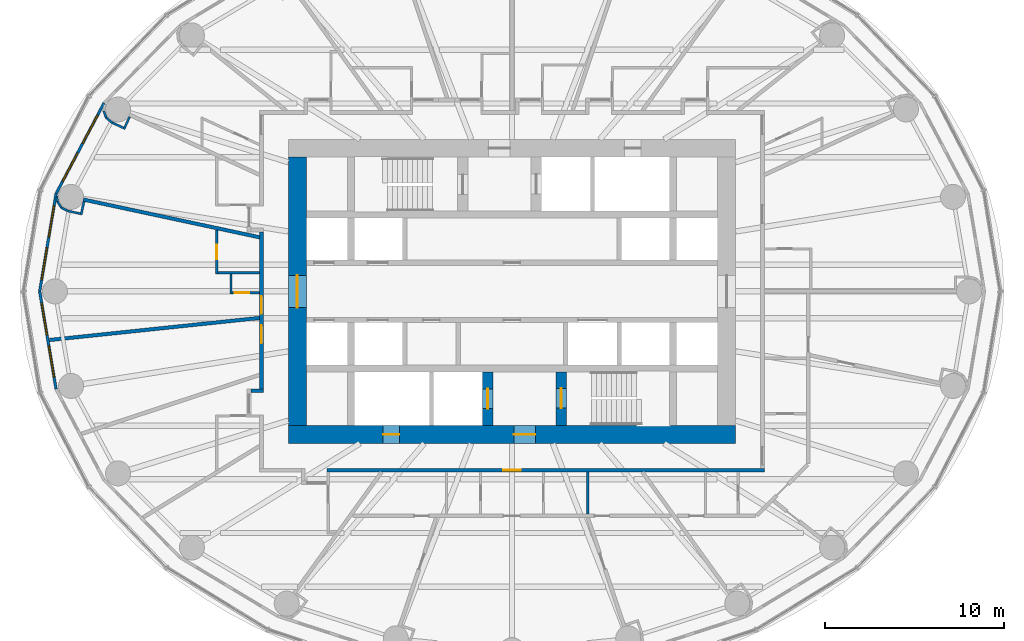
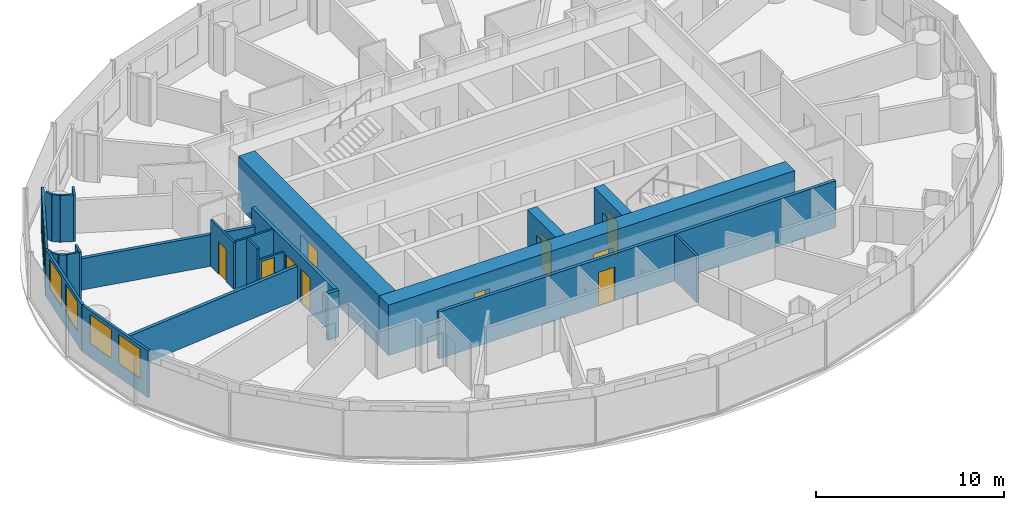
# One storey, part 7 of 14: 26 walls, 10 doors, 6 windows, 16 openings.
"""IFC4 building model written with IfcOpenShell, lengths in metres."""

import ifcopenshell
import ifcopenshell.guid

model = None  # the IFC model being written
_history = None  # IfcOwnerHistory: only IFC2X3 demands one
_inside = {}  # id of a spatial element -> (the spatial element, [elements in it])
_under = {}  # id of a project, library or spatial element -> (it, [spatial elements below it])
_declared = {}  # id of a project -> (the project, [libraries it declares])
_typed = {}  # id of a type object -> (the type object, [elements of that type])
_made_of = {}  # id of a material, layer set ... -> (it, [elements and type objects made of it])


def new_model(schema):
    """Start an empty IFC model of exactly this schema.

    Asked for "IFC4X3", IfcOpenShell would pick the latest addendum, in which some entities
    have other attributes; the version numbers below select the first issue.
    IFC2X3 requires an IfcOwnerHistory on every rooted entity: one is made here for all.
    """
    global model, _history
    if schema == "IFC4X3":
        model = ifcopenshell.file(schema_version=(4, 3, 0, 0))
    else:
        model = ifcopenshell.file(schema=schema)
    _inside.clear()
    _under.clear()
    _declared.clear()
    _typed.clear()
    _made_of.clear()
    _history = None
    if model.schema == "IFC2X3":
        org = make("IfcOrganization", Name="unknown")
        user = make(
            "IfcPersonAndOrganization",
            ThePerson=make("IfcPerson", FamilyName="unknown"),
            TheOrganization=org,
        )
        app = make(
            "IfcApplication",
            ApplicationDeveloper=org,
            Version="unknown",
            ApplicationFullName="unknown",
            ApplicationIdentifier="unknown",
        )
        _history = make(
            "IfcOwnerHistory",
            OwningUser=user,
            OwningApplication=app,
            ChangeAction="ADDED",
            CreationDate=0,
        )
    return model


def make(cls, **values):
    """One entity of the class cls with the attributes given. An attribute that is None is left unset."""
    return model.create_entity(
        cls, **{name: value for name, value in values.items() if value is not None}
    )


def rooted(cls, **values):
    """An entity with a GlobalId (a new one), such as an element, a storey or a relation."""
    return make(cls, GlobalId=ifcopenshell.guid.new(), OwnerHistory=_history, **values)


def si_unit(unit_type, name, prefix=None):
    """IfcSIUnit, for example si_unit("LENGTHUNIT", "METRE", prefix="MILLI")."""
    return make("IfcSIUnit", UnitType=unit_type, Prefix=prefix, Name=name)


def assignment(units):
    """IfcUnitAssignment: the units of a project."""
    return None if units is None else make("IfcUnitAssignment", Units=units)


def point(xyz):
    """IfcCartesianPoint."""
    return None if xyz is None else make("IfcCartesianPoint", Coordinates=xyz)


def direction(xyz):
    """IfcDirection."""
    return None if xyz is None else make("IfcDirection", DirectionRatios=xyz)


def frame(location, z_axis=None, x_axis=None):
    """IfcAxis2Placement3D, a coordinate frame: its origin and axes. An axis left out is left unset."""
    return make(
        "IfcAxis2Placement3D",
        Location=point(location),
        Axis=direction(z_axis),
        RefDirection=direction(x_axis),
    )


def frame_2d(location, x_axis=None):
    """IfcAxis2Placement2D, a coordinate frame in the plane: its origin and x axis."""
    return make(
        "IfcAxis2Placement2D", Location=point(location), RefDirection=direction(x_axis)
    )


def origin():
    """The frame at (0, 0, 0) with its axes left unset."""
    return frame((0.0, 0.0, 0.0))


def place(relative_to, where):
    """IfcLocalPlacement: puts the frame where relative to a parent placement (None: the world)."""
    return make(
        "IfcLocalPlacement", PlacementRelTo=relative_to, RelativePlacement=where
    )


def context(
    kind, dimensions, precision=None, world=None, true_north=None, identifier=None
):
    """IfcGeometricRepresentationContext, for example the 3D "Model" context."""
    return make(
        "IfcGeometricRepresentationContext",
        ContextIdentifier=identifier,
        ContextType=kind,
        CoordinateSpaceDimension=dimensions,
        Precision=precision,
        WorldCoordinateSystem=world,
        TrueNorth=true_north,
    )


def subcontext(parent, identifier, kind, view, scale=None):
    """IfcGeometricRepresentationSubContext, for example "Body" below "Model"."""
    return make(
        "IfcGeometricRepresentationSubContext",
        ContextIdentifier=identifier,
        ContextType=kind,
        ParentContext=parent,
        TargetScale=scale,
        TargetView=view,
    )


def project(units=None, contexts=None):
    """IfcProject with its units and contexts."""
    return rooted(
        "IfcProject",
        Name="project",
        RepresentationContexts=contexts,
        UnitsInContext=assignment(units),
    )


def spatial(cls, under=None, at=None, **own):
    """A site, building, storey or space (cls), placed at a placement, below another one or the project."""
    s = rooted(cls, ObjectPlacement=at, **own)
    if under is not None:
        _under.setdefault(under.id(), (under, []))[1].append(s)
    return s


def profile(cls, at=None, kind="AREA", **sizes):
    """A parametric profile (cls). Its sizes go by their IFC names, for example OverallWidth=200.0."""
    return make(cls, ProfileType=kind, Position=at, **sizes)


def rectangle(**sizes):
    """IfcRectangleProfileDef."""
    return profile("IfcRectangleProfileDef", **sizes)


def extrude(swept, where, along, depth):
    """IfcExtrudedAreaSolid: the profile swept, set in the frame where, extruded along a direction by depth."""
    return make(
        "IfcExtrudedAreaSolid",
        SweptArea=swept,
        Position=where,
        ExtrudedDirection=direction(along),
        Depth=depth,
    )


def shape(context_of_items, identifier, shape_type, items):
    """IfcShapeRepresentation: the items that make up one representation, for example the "Body"."""
    return make(
        "IfcShapeRepresentation",
        ContextOfItems=context_of_items,
        RepresentationIdentifier=identifier,
        RepresentationType=shape_type,
        Items=items,
    )


def material(Name=None, Category=None):
    """IfcMaterial."""
    return make("IfcMaterial", Name=Name, Category=Category)


def layer(
    of_material, thickness, ventilated=None, Name=None, Category=None, Priority=None
):
    """IfcMaterialLayer: one layer of a wall or slab, of a material (None: an air gap)."""
    return make(
        "IfcMaterialLayer",
        Material=of_material,
        LayerThickness=thickness,
        IsVentilated=ventilated,
        Name=Name,
        Category=Category,
        Priority=Priority,
    )


def layer_set(layers, Name=None):
    """IfcMaterialLayerSet."""
    return make("IfcMaterialLayerSet", MaterialLayers=layers, LayerSetName=Name)


def made_of(thing, what):
    """Note that an element or type object is made of a material, layer set ...; save() writes the relation."""
    if what is not None:
        _made_of.setdefault(what.id(), (what, []))[1].append(thing)
    return thing


def type_object(cls, material=None, **own):
    """A type object (cls), such as IfcWallType, which elements share."""
    return made_of(rooted(cls, **own), material)


def element(
    cls,
    number,
    at=None,
    inside=None,
    cuts=None,
    type_object=None,
    material=None,
    context=None,
    identifier="Body",
    shape_type=None,
    held_by="IfcProductDefinitionShape",
    body=None,
    shapes=None,
    **own,
):
    """One element of the class cls, such as IfcWall. Its Tag is "e" and its number.

    at: its placement. inside: the storey or other place that contains it. cuts: it is an
    opening in that element (IfcRelVoidsElement). A single representation is given by context,
    identifier, shape_type and body (its items); several are given by shapes. held_by: the class
    of the entity that holds the representations. save() writes the other relations.
    """
    e = rooted(cls, Tag="e%d" % number, ObjectPlacement=at, **own)
    if body is not None:
        shapes = [shape(context, identifier, shape_type, body)]
    if shapes is not None:
        e.Representation = make(held_by, Representations=shapes)
    if inside is not None:
        _inside.setdefault(inside.id(), (inside, []))[1].append(e)
    if cuts is not None:
        rooted(
            "IfcRelVoidsElement", RelatingBuildingElement=cuts, RelatedOpeningElement=e
        )
    if type_object is not None:
        _typed.setdefault(type_object.id(), (type_object, []))[1].append(e)
    return made_of(e, material)


def fill(opening, filler):
    """IfcRelFillsElement: the door or window that sits in an opening."""
    return rooted(
        "IfcRelFillsElement",
        RelatingOpeningElement=opening,
        RelatedBuildingElement=filler,
    )


def aggregate(whole, parts):
    """IfcRelAggregates: a whole, such as a stair, and the parts it consists of."""
    return rooted("IfcRelAggregates", RelatingObject=whole, RelatedObjects=parts)


def save(model, path):
    """Write the relations noted so far, then the file.

    IfcRelAggregates (storeys below a building ...), IfcRelContainedInSpatialStructure (elements
    in a storey), IfcRelDefinesByType, IfcRelAssociatesMaterial and IfcRelDeclares: one each for
    every whole, place, type object, material and project.
    """
    for whole, parts in _under.values():
        aggregate(whole, parts)
    for where, things in _inside.values():
        rooted(
            "IfcRelContainedInSpatialStructure",
            RelatedElements=things,
            RelatingStructure=where,
        )
    for kind, things in _typed.values():
        rooted("IfcRelDefinesByType", RelatedObjects=things, RelatingType=kind)
    for what, things in _made_of.values():
        rooted("IfcRelAssociatesMaterial", RelatedObjects=things, RelatingMaterial=what)
    for by, libraries in _declared.values():
        rooted("IfcRelDeclares", RelatingContext=by, RelatedDefinitions=libraries)
    model.write(path)


model = new_model("IFC4")

# Units and contexts
model_context = context("Model", 3, precision=1e-05, world=origin(), true_north=direction((0.0, 1.0)))
body_context = subcontext(model_context, "Body", "Model", "MODEL_VIEW")
ifc_project = project(units=[si_unit("LENGTHUNIT", "METRE"), si_unit("AREAUNIT", "SQUARE_METRE"), si_unit("VOLUMEUNIT", "CUBIC_METRE"), si_unit("PLANEANGLEUNIT", "RADIAN"), si_unit("MASSUNIT", "GRAM", prefix="KILO")], contexts=[model_context])

# Site, building, storey
site_placement = place(None, origin())
site = spatial("IfcSite", under=ifc_project, at=site_placement, CompositionType="ELEMENT")
building_placement = place(site_placement, origin())
building = spatial("IfcBuilding", under=site, at=building_placement, Name="Hankou Lantern Tower", CompositionType="ELEMENT")
storey_placement = place(building_placement, frame((0.0, 0.0, 90.300048828125)))
storey = spatial("IfcBuildingStorey", under=building, at=storey_placement, Name="L23", CompositionType="ELEMENT", Elevation=90.300048828125)

# Wall, openings, doors
ifc_material_1 = material(Name="Concrete C60", Category="concrete")
ifc_layer_1 = layer(ifc_material_1, 1.0)
ifc_layer_set_1 = layer_set([ifc_layer_1], Name="Concrete C60")
wall_type_1 = type_object("IfcWallType", Name="CW1 CORE WALL 1000", PredefinedType="SHEAR", material=ifc_layer_set_1)
wall_1_placement = place(storey_placement, frame((12.5, -8.0, 0.0), z_axis=(0.0, 0.0, 1.0), x_axis=(-1.0, 0.0, 0.0)))
wall_1 = element("IfcWall", 1, at=wall_1_placement, inside=storey, type_object=wall_type_1, Name="Core wall south L23", PredefinedType="SHEAR", context=body_context, shape_type="SweptSolid", body=[
    extrude(rectangle(XDim=25.0, YDim=1.0, at=frame_2d((12.5, 0.0))), origin(), (0.0, 0.0, 1.0), 3.300048828125),
])
opening_1_placement = place(wall_1_placement, frame((11.199951171875, 0.0, 0.0)))
opening_1 = element("IfcOpeningElement", 2, at=opening_1_placement, cuts=wall_1, Name="Opening D5", PredefinedType="OPENING", context=body_context, shape_type="SweptSolid", body=[
    extrude(rectangle(XDim=1.199951171875, YDim=2.199951171875, at=frame_2d((0.60009765625, 1.10009765625))), frame((0.0, 0.510009765625, 0.0), z_axis=(0.0, -1.0, 0.0), x_axis=(1.0, 0.0, 0.0)), (0.0, 0.0, 1.0), 1.02001953125),
])
opening_2_placement = place(wall_1_placement, frame((18.800048828125, 0.0, 0.0)))
opening_2 = element("IfcOpeningElement", 3, at=opening_2_placement, cuts=wall_1, Name="Opening D7", PredefinedType="OPENING", context=body_context, shape_type="SweptSolid", body=[
    extrude(rectangle(XDim=0.89990234375, YDim=2.199951171875, at=frame_2d((0.449951171875, 1.10009765625))), frame((0.0, 0.510009765625, 0.0), z_axis=(0.0, -1.0, 0.0), x_axis=(1.0, 0.0, 0.0)), (0.0, 0.0, 1.0), 1.02001953125),
])
ifc_material_2 = material(Name="Steel door leaf", Category="steel")
door_type_1 = type_object("IfcDoorType", Name="D5 STAIR LOBBY DOOR 1200X2200", OperationType="SINGLE_SWING_LEFT", PredefinedType="DOOR", material=ifc_material_2)
door_1_placement = place(opening_1_placement, origin())
door_1 = element("IfcDoor", 4, at=door_1_placement, inside=storey, type_object=door_type_1, Name="Stair B lobby door", OperationType="SINGLE_SWING_LEFT", OverallHeight=2.199951171875, OverallWidth=1.199951171875, PredefinedType="DOOR", context=body_context, shape_type="SweptSolid", body=[
    extrude(rectangle(XDim=1.199951171875, YDim=2.199951171875, at=frame_2d((0.60009765625, 1.10009765625))), frame((0.0, 0.02490234375, 0.0), z_axis=(0.0, -1.0, 0.0), x_axis=(1.0, 0.0, 0.0)), (0.0, 0.0, 1.0), 0.050048828125),
])
fill(opening_1, door_1)
ifc_material_3 = material(Name="Steel door leaf", Category="steel")
door_type_2 = type_object("IfcDoorType", Name="D7 RISER DOOR 900X2200", OperationType="SINGLE_SWING_LEFT", PredefinedType="DOOR", material=ifc_material_3)
door_2_placement = place(opening_2_placement, origin())
door_2 = element("IfcDoor", 5, at=door_2_placement, inside=storey, type_object=door_type_2, Name="Riser S1 door", OperationType="SINGLE_SWING_RIGHT", OverallHeight=2.199951171875, OverallWidth=0.89990234375, PredefinedType="DOOR", context=body_context, shape_type="SweptSolid", body=[
    extrude(rectangle(XDim=0.89990234375, YDim=2.199951171875, at=frame_2d((0.449951171875, 1.10009765625))), frame((0.0, 0.02490234375, 0.0), z_axis=(0.0, -1.0, 0.0), x_axis=(1.0, 0.0, 0.0)), (0.0, 0.0, 1.0), 0.050048828125),
])
fill(opening_2, door_2)

# Wall, opening, door
wall_2_placement = place(storey_placement, frame((-12.0, 7.5, 0.0), z_axis=(0.0, 0.0, 1.0), x_axis=(0.0, -1.0, 0.0)))
wall_2 = element("IfcWall", 6, at=wall_2_placement, inside=storey, type_object=wall_type_1, Name="Core wall west L23", PredefinedType="SHEAR", context=body_context, shape_type="SweptSolid", body=[
    extrude(rectangle(XDim=15.0, YDim=1.0, at=frame_2d((7.5, 0.0))), origin(), (0.0, 0.0, 1.0), 3.300048828125),
])
opening_3_placement = place(wall_2_placement, frame((6.60009765625, 0.0, 0.0)))
opening_3 = element("IfcOpeningElement", 7, at=opening_3_placement, cuts=wall_2, Name="Opening D6", PredefinedType="OPENING", context=body_context, shape_type="SweptSolid", body=[
    extrude(rectangle(XDim=1.800048828125, YDim=2.199951171875, at=frame_2d((0.89990234375, 1.10009765625))), frame((0.0, 0.510009765625, 0.0), z_axis=(0.0, -1.0, 0.0), x_axis=(1.0, 0.0, 0.0)), (0.0, 0.0, 1.0), 1.02001953125),
])
ifc_material_4 = material(Name="Steel door leaf", Category="steel")
door_type_3 = type_object("IfcDoorType", Name="D6 LIFT LOBBY DOOR 1800X2200", OperationType="DOUBLE_DOOR_DOUBLE_SWING", PredefinedType="DOOR", material=ifc_material_4)
door_3_placement = place(opening_3_placement, origin())
door_3 = element("IfcDoor", 8, at=door_3_placement, inside=storey, type_object=door_type_3, Name="Lift lobby west door", OperationType="DOUBLE_DOOR_DOUBLE_SWING", OverallHeight=2.199951171875, OverallWidth=1.800048828125, PredefinedType="DOOR", context=body_context, shape_type="SweptSolid", body=[
    extrude(rectangle(XDim=1.800048828125, YDim=2.199951171875, at=frame_2d((0.89990234375, 1.10009765625))), frame((0.0, 0.02490234375, 0.0), z_axis=(0.0, -1.0, 0.0), x_axis=(1.0, 0.0, 0.0)), (0.0, 0.0, 1.0), 0.050048828125),
])
fill(opening_3, door_3)

ifc_material_5 = material(Name="Concrete C60", Category="concrete")
ifc_layer_2 = layer(ifc_material_5, 0.60009765625)
ifc_layer_set_2 = layer_set([ifc_layer_2], Name="Concrete C60")
wall_type_2 = type_object("IfcWallType", Name="CW6 STAIR AND SHAFT WALL 600", PredefinedType="SHEAR", material=ifc_layer_set_2)
wall_3_placement = place(storey_placement, frame((2.75, -7.5, 0.0), z_axis=(0.0, 0.0, 1.0), x_axis=(0.0, 1.0, 0.0)))
wall_3 = element("IfcWall", 9, at=wall_3_placement, inside=storey, type_object=wall_type_2, Name="Stair wall L23", PredefinedType="SHEAR", context=body_context, shape_type="SweptSolid", body=[
    extrude(rectangle(XDim=3.0, YDim=0.60009765625, at=frame_2d((1.5, 0.0))), origin(), (0.0, 0.0, 1.0), 3.300048828125),
])
opening_4_placement = place(wall_3_placement, frame((0.97509765625, 0.0, 0.0)))
opening_4 = element("IfcOpeningElement", 10, at=opening_4_placement, cuts=wall_3, Name="Opening D4", PredefinedType="OPENING", context=body_context, shape_type="SweptSolid", body=[
    extrude(rectangle(XDim=1.10009765625, YDim=2.199951171875, at=frame_2d((0.550048828125, 1.10009765625))), frame((0.0, 0.31005859375, 0.0), z_axis=(0.0, -1.0, 0.0), x_axis=(1.0, 0.0, 0.0)), (0.0, 0.0, 1.0), 0.6201171875),
])
ifc_material_6 = material(Name="Steel door leaf", Category="steel")
door_type_4 = type_object("IfcDoorType", Name="D4 STAIR DOOR 1100X2200", OperationType="SINGLE_SWING_LEFT", PredefinedType="DOOR", material=ifc_material_6)
door_4_placement = place(opening_4_placement, origin())
door_4 = element("IfcDoor", 11, at=door_4_placement, inside=storey, type_object=door_type_4, Name="Stair B door", OperationType="SINGLE_SWING_RIGHT", OverallHeight=2.199951171875, OverallWidth=1.10009765625, PredefinedType="DOOR", context=body_context, shape_type="SweptSolid", body=[
    extrude(rectangle(XDim=1.10009765625, YDim=2.199951171875, at=frame_2d((0.550048828125, 1.10009765625))), frame((0.0, 0.02490234375, 0.0), z_axis=(0.0, -1.0, 0.0), x_axis=(1.0, 0.0, 0.0)), (0.0, 0.0, 1.0), 0.050048828125),
])
fill(opening_4, door_4)

wall_4_placement = place(storey_placement, frame((-1.35009765625, -7.5, 0.0), z_axis=(0.0, 0.0, 1.0), x_axis=(0.0, 1.0, 0.0)))
wall_4 = element("IfcWall", 12, at=wall_4_placement, inside=storey, type_object=wall_type_2, Name="Firefighting lift shaft wall L23", PredefinedType="SHEAR", context=body_context, shape_type="SweptSolid", body=[
    extrude(rectangle(XDim=3.0, YDim=0.60009765625, at=frame_2d((1.5, 0.0))), origin(), (0.0, 0.0, 1.0), 3.300048828125),
])
opening_5_placement = place(wall_4_placement, frame((0.949951171875, 0.0, 0.0)))
opening_5 = element("IfcOpeningElement", 13, at=opening_5_placement, cuts=wall_4, Name="Opening LD2", PredefinedType="OPENING", context=body_context, shape_type="SweptSolid", body=[
    extrude(rectangle(XDim=1.10009765625, YDim=2.199951171875, at=frame_2d((0.550048828125, 1.10009765625))), frame((0.0, 0.31005859375, 0.0), z_axis=(0.0, -1.0, 0.0), x_axis=(1.0, 0.0, 0.0)), (0.0, 0.0, 1.0), 0.6201171875),
])
ifc_material_7 = material(Name="Steel door leaf", Category="steel")
door_type_5 = type_object("IfcDoorType", Name="LD2 FIREFIGHTING LIFT LANDING DOOR 1100X2200", OperationType="DOUBLE_DOOR_SLIDING", PredefinedType="DOOR", material=ifc_material_7)
door_5_placement = place(opening_5_placement, origin())
door_5 = element("IfcDoor", 14, at=door_5_placement, inside=storey, type_object=door_type_5, Name="Firefighting lift FL2 landing door", OperationType="DOUBLE_DOOR_SLIDING", OverallHeight=2.199951171875, OverallWidth=1.10009765625, PredefinedType="DOOR", context=body_context, shape_type="SweptSolid", body=[
    extrude(rectangle(XDim=1.10009765625, YDim=2.199951171875, at=frame_2d((0.550048828125, 1.10009765625))), frame((0.0, 0.02490234375, 0.0), z_axis=(0.0, -1.0, 0.0), x_axis=(1.0, 0.0, 0.0)), (0.0, 0.0, 1.0), 0.050048828125),
])
fill(opening_5, door_5)

# Wall, openings, windows
ifc_material_8 = material(Name="Aluminium spandrel panel on steel studs", Category="steel")
ifc_layer_3 = layer(ifc_material_8, 0.14990234375)
ifc_layer_set_3 = layer_set([ifc_layer_3], Name="Aluminium spandrel panel on steel studs")
wall_type_3 = type_object("IfcWallType", Name="EW1 INNER SKIN WALL 150", PredefinedType="ELEMENTEDWALL", material=ifc_layer_set_3)
wall_5_placement = place(storey_placement, frame((-22.802734375, 10.5322265625, 0.0), z_axis=(0.0, 0.0, 1.0), x_axis=(-0.467296867008, -0.884100468321, 0.0)))
wall_5 = element("IfcWall", 15, at=wall_5_placement, inside=storey, type_object=wall_type_3, Name="Inner skin R11-R12 L23", PredefinedType="ELEMENTEDWALL", context=body_context, shape_type="SweptSolid", body=[
    extrude(rectangle(XDim=5.734375, YDim=0.14990234375, at=frame_2d((2.8671875, 0.0))), origin(), (0.0, 0.0, 1.0), 3.050048828125),
])
opening_6_placement = place(wall_5_placement, frame((0.76708984375, 0.0, 0.89990234375)))
opening_6 = element("IfcOpeningElement", 16, at=opening_6_placement, cuts=wall_5, Name="Opening W1", PredefinedType="OPENING", context=body_context, shape_type="SweptSolid", body=[
    extrude(rectangle(XDim=1.800048828125, YDim=1.89990234375, at=frame_2d((0.89990234375, 0.949951171875))), frame((0.0, 0.0849609375, 0.0), z_axis=(0.0, -1.0, 0.0), x_axis=(1.0, 0.0, 0.0)), (0.0, 0.0, 1.0), 0.169921875),
])
opening_7_placement = place(wall_5_placement, frame((3.167236328125, 0.0, 0.89990234375)))
opening_7 = element("IfcOpeningElement", 17, at=opening_7_placement, cuts=wall_5, Name="Opening W1", PredefinedType="OPENING", context=body_context, shape_type="SweptSolid", body=[
    extrude(rectangle(XDim=1.800048828125, YDim=1.89990234375, at=frame_2d((0.89990234375, 0.949951171875))), frame((0.0, 0.0849609375, 0.0), z_axis=(0.0, -1.0, 0.0), x_axis=(1.0, 0.0, 0.0)), (0.0, 0.0, 1.0), 0.169921875),
])
ifc_material_9 = material(Name="Aluminium framed double glazed window", Category="aluminium")
window_type = type_object("IfcWindowType", Name="W1 GUEST ROOM WINDOW 1800X1900", PartitioningType="DOUBLE_PANEL_VERTICAL", PredefinedType="WINDOW", material=ifc_material_9)
window_1_placement = place(opening_6_placement, origin())
window_1 = element("IfcWindow", 18, at=window_1_placement, inside=storey, type_object=window_type, Name="Window R11.1 L23", OverallHeight=1.89990234375, OverallWidth=1.800048828125, PartitioningType="SINGLE_PANEL", PredefinedType="WINDOW", context=body_context, shape_type="SweptSolid", body=[
    extrude(rectangle(XDim=1.800048828125, YDim=1.89990234375, at=frame_2d((0.89990234375, 0.949951171875))), frame((0.0, 0.030029296875, 0.0), z_axis=(0.0, -1.0, 0.0), x_axis=(1.0, 0.0, 0.0)), (0.0, 0.0, 1.0), 0.06005859375),
])
fill(opening_6, window_1)
window_2_placement = place(opening_7_placement, origin())
window_2 = element("IfcWindow", 19, at=window_2_placement, inside=storey, type_object=window_type, Name="Window R11.2 L23", OverallHeight=1.89990234375, OverallWidth=1.800048828125, PartitioningType="SINGLE_PANEL", PredefinedType="WINDOW", context=body_context, shape_type="SweptSolid", body=[
    extrude(rectangle(XDim=1.800048828125, YDim=1.89990234375, at=frame_2d((0.89990234375, 0.949951171875))), frame((0.0, 0.030029296875, 0.0), z_axis=(0.0, -1.0, 0.0), x_axis=(1.0, 0.0, 0.0)), (0.0, 0.0, 1.0), 0.06005859375),
])
fill(opening_7, window_2)

wall_6_placement = place(storey_placement, frame((-25.482421875, 5.46240234375, 0.0), z_axis=(0.0, 0.0, 1.0), x_axis=(-0.165642551694, -0.986185857264, 0.0)))
wall_6 = element("IfcWall", 20, at=wall_6_placement, inside=storey, type_object=wall_type_3, Name="Inner skin R12-R13 L23", PredefinedType="ELEMENTEDWALL", context=body_context, shape_type="SweptSolid", body=[
    extrude(rectangle(XDim=5.538818359375, YDim=0.14990234375, at=frame_2d((2.76953125, 0.0))), origin(), (0.0, 0.0, 1.0), 3.050048828125),
])
opening_8_placement = place(wall_6_placement, frame((0.66943359375, 0.0, 0.89990234375)))
opening_8 = element("IfcOpeningElement", 21, at=opening_8_placement, cuts=wall_6, Name="Opening W1", PredefinedType="OPENING", context=body_context, shape_type="SweptSolid", body=[
    extrude(rectangle(XDim=1.800048828125, YDim=1.89990234375, at=frame_2d((0.89990234375, 0.949951171875))), frame((0.0, 0.0849609375, 0.0), z_axis=(0.0, -1.0, 0.0), x_axis=(1.0, 0.0, 0.0)), (0.0, 0.0, 1.0), 0.169921875),
])
opening_9_placement = place(wall_6_placement, frame((3.069580078125, 0.0, 0.89990234375)))
opening_9 = element("IfcOpeningElement", 22, at=opening_9_placement, cuts=wall_6, Name="Opening W1", PredefinedType="OPENING", context=body_context, shape_type="SweptSolid", body=[
    extrude(rectangle(XDim=1.800048828125, YDim=1.89990234375, at=frame_2d((0.89990234375, 0.949951171875))), frame((0.0, 0.0849609375, 0.0), z_axis=(0.0, -1.0, 0.0), x_axis=(1.0, 0.0, 0.0)), (0.0, 0.0, 1.0), 0.169921875),
])
window_3_placement = place(opening_8_placement, origin())
window_3 = element("IfcWindow", 23, at=window_3_placement, inside=storey, type_object=window_type, Name="Window R12.1 L23", OverallHeight=1.89990234375, OverallWidth=1.800048828125, PartitioningType="SINGLE_PANEL", PredefinedType="WINDOW", context=body_context, shape_type="SweptSolid", body=[
    extrude(rectangle(XDim=1.800048828125, YDim=1.89990234375, at=frame_2d((0.89990234375, 0.949951171875))), frame((0.0, 0.030029296875, 0.0), z_axis=(0.0, -1.0, 0.0), x_axis=(1.0, 0.0, 0.0)), (0.0, 0.0, 1.0), 0.06005859375),
])
fill(opening_8, window_3)
window_4_placement = place(opening_9_placement, origin())
window_4 = element("IfcWindow", 24, at=window_4_placement, inside=storey, type_object=window_type, Name="Window R12.2 L23", OverallHeight=1.89990234375, OverallWidth=1.800048828125, PartitioningType="SINGLE_PANEL", PredefinedType="WINDOW", context=body_context, shape_type="SweptSolid", body=[
    extrude(rectangle(XDim=1.800048828125, YDim=1.89990234375, at=frame_2d((0.89990234375, 0.949951171875))), frame((0.0, 0.030029296875, 0.0), z_axis=(0.0, -1.0, 0.0), x_axis=(1.0, 0.0, 0.0)), (0.0, 0.0, 1.0), 0.06005859375),
])
fill(opening_9, window_4)

wall_7_placement = place(storey_placement, frame((-26.39990234375, 0.0, 0.0), z_axis=(0.0, 0.0, 1.0), x_axis=(0.165642551694, -0.986185857264, 0.0)))
wall_7 = element("IfcWall", 25, at=wall_7_placement, inside=storey, type_object=wall_type_3, Name="Inner skin R13-R14 L23", PredefinedType="ELEMENTEDWALL", context=body_context, shape_type="SweptSolid", body=[
    extrude(rectangle(XDim=5.538818359375, YDim=0.14990234375, at=frame_2d((2.76953125, 0.0))), origin(), (0.0, 0.0, 1.0), 3.050048828125),
])
opening_10_placement = place(wall_7_placement, frame((0.66943359375, 0.0, 0.89990234375)))
opening_10 = element("IfcOpeningElement", 26, at=opening_10_placement, cuts=wall_7, Name="Opening W1", PredefinedType="OPENING", context=body_context, shape_type="SweptSolid", body=[
    extrude(rectangle(XDim=1.800048828125, YDim=1.89990234375, at=frame_2d((0.89990234375, 0.949951171875))), frame((0.0, 0.0849609375, 0.0), z_axis=(0.0, -1.0, 0.0), x_axis=(1.0, 0.0, 0.0)), (0.0, 0.0, 1.0), 0.169921875),
])
opening_11_placement = place(wall_7_placement, frame((3.069580078125, 0.0, 0.89990234375)))
opening_11 = element("IfcOpeningElement", 27, at=opening_11_placement, cuts=wall_7, Name="Opening W1", PredefinedType="OPENING", context=body_context, shape_type="SweptSolid", body=[
    extrude(rectangle(XDim=1.800048828125, YDim=1.89990234375, at=frame_2d((0.89990234375, 0.949951171875))), frame((0.0, 0.0849609375, 0.0), z_axis=(0.0, -1.0, 0.0), x_axis=(1.0, 0.0, 0.0)), (0.0, 0.0, 1.0), 0.169921875),
])
window_5_placement = place(opening_10_placement, origin())
window_5 = element("IfcWindow", 28, at=window_5_placement, inside=storey, type_object=window_type, Name="Window R13.1 L23", OverallHeight=1.89990234375, OverallWidth=1.800048828125, PartitioningType="SINGLE_PANEL", PredefinedType="WINDOW", context=body_context, shape_type="SweptSolid", body=[
    extrude(rectangle(XDim=1.800048828125, YDim=1.89990234375, at=frame_2d((0.89990234375, 0.949951171875))), frame((0.0, 0.030029296875, 0.0), z_axis=(0.0, -1.0, 0.0), x_axis=(1.0, 0.0, 0.0)), (0.0, 0.0, 1.0), 0.06005859375),
])
fill(opening_10, window_5)
window_6_placement = place(opening_11_placement, origin())
window_6 = element("IfcWindow", 29, at=window_6_placement, inside=storey, type_object=window_type, Name="Window R13.2 L23", OverallHeight=1.89990234375, OverallWidth=1.800048828125, PartitioningType="SINGLE_PANEL", PredefinedType="WINDOW", context=body_context, shape_type="SweptSolid", body=[
    extrude(rectangle(XDim=1.800048828125, YDim=1.89990234375, at=frame_2d((0.89990234375, 0.949951171875))), frame((0.0, 0.030029296875, 0.0), z_axis=(0.0, -1.0, 0.0), x_axis=(1.0, 0.0, 0.0)), (0.0, 0.0, 1.0), 0.06005859375),
])
fill(opening_11, window_6)

# Walls
ifc_material_10 = material(Name="Masonry lightweight concrete block", Category="masonry")
ifc_layer_4 = layer(ifc_material_10, 0.199951171875)
ifc_layer_set_4 = layer_set([ifc_layer_4], Name="Masonry lightweight concrete block")
wall_type_4 = type_object("IfcWallType", Name="IW1 GUEST ROOM PARTY WALL 200", PredefinedType="PARTITIONING", material=ifc_layer_set_4)
wall_8_placement = place(storey_placement, frame((-14.10009765625, 3.0224609375, 0.0), z_axis=(0.0, 0.0, 1.0), x_axis=(-0.977790014929, 0.209586943072, 0.0)))
element("IfcWall", 30, at=wall_8_placement, inside=storey, type_object=wall_type_4, Name="Party wall R12", PredefinedType="PARTITIONING", context=body_context, shape_type="SweptSolid", body=[
    extrude(rectangle(XDim=10.086669921875, YDim=0.199951171875, at=frame_2d((5.04345703125, 0.0))), origin(), (0.0, 0.0, 1.0), 2.050048828125),
])
ifc_material_11 = material(Name="Masonry lightweight concrete block", Category="masonry")
ifc_layer_5 = layer(ifc_material_11, 0.199951171875)
ifc_layer_set_5 = layer_set([ifc_layer_5], Name="Masonry lightweight concrete block")
wall_type_5 = type_object("IfcWallType", Name="IW2 CORRIDOR WALL 200", PredefinedType="PARTITIONING", material=ifc_layer_set_5)
wall_9_placement = place(storey_placement, frame((-13.89990234375, -5.55908203125, 0.0), z_axis=(0.0, 0.0, 1.0), x_axis=(-1.0, 0.0, 0.0)))
element("IfcWall", 31, at=wall_9_placement, inside=storey, type_object=wall_type_5, Name="Corridor recess wall 2304 side", PredefinedType="PARTITIONING", context=body_context, shape_type="SweptSolid", body=[
    extrude(rectangle(XDim=0.7001953125, YDim=0.199951171875, at=frame_2d((0.35009765625, 0.0))), origin(), (0.0, 0.0, 1.0), 3.050048828125),
])

# Wall, openings, doors
wall_10_placement = place(storey_placement, frame((-14.0, 3.33251953125, 0.0), z_axis=(0.0, 0.0, 1.0), x_axis=(0.0, -1.0, 0.0)))
wall_10 = element("IfcWall", 32, at=wall_10_placement, inside=storey, type_object=wall_type_5, Name="Corridor wall west", PredefinedType="PARTITIONING", context=body_context, shape_type="SweptSolid", body=[
    extrude(rectangle(XDim=8.79150390625, YDim=0.199951171875, at=frame_2d((4.395751953125, 0.0))), origin(), (0.0, 0.0, 1.0), 3.050048828125),
])
opening_12_placement = place(wall_10_placement, frame((3.590087890625, 0.0, 0.0)))
opening_12 = element("IfcOpeningElement", 33, at=opening_12_placement, cuts=wall_10, Name="Opening D1", PredefinedType="OPENING", context=body_context, shape_type="SweptSolid", body=[
    extrude(rectangle(XDim=1.0, YDim=2.199951171875, at=frame_2d((0.5, 1.10009765625))), frame((0.0, 0.10986328125, 0.0), z_axis=(0.0, -1.0, 0.0), x_axis=(1.0, 0.0, 0.0)), (0.0, 0.0, 1.0), 0.219970703125),
])
opening_13_placement = place(wall_10_placement, frame((5.234375, 0.0, 0.0)))
opening_13 = element("IfcOpeningElement", 34, at=opening_13_placement, cuts=wall_10, Name="Opening D28", PredefinedType="OPENING", context=body_context, shape_type="SweptSolid", body=[
    extrude(rectangle(XDim=1.0, YDim=2.199951171875, at=frame_2d((0.5, 1.10009765625))), frame((0.0, 0.10986328125, 0.0), z_axis=(0.0, -1.0, 0.0), x_axis=(1.0, 0.0, 0.0)), (0.0, 0.0, 1.0), 0.219970703125),
])
ifc_material_12 = material(Name="Steel door leaf", Category="steel")
door_type_6 = type_object("IfcDoorType", Name="D1 GUEST ROOM DOOR 1000X2200", OperationType="SINGLE_SWING_LEFT", PredefinedType="DOOR", material=ifc_material_12)
door_6_placement = place(opening_12_placement, origin())
door_6 = element("IfcDoor", 35, at=door_6_placement, inside=storey, type_object=door_type_6, Name="Guest room door 2302", OperationType="SINGLE_SWING_LEFT", OverallHeight=2.199951171875, OverallWidth=1.0, PredefinedType="DOOR", context=body_context, shape_type="SweptSolid", body=[
    extrude(rectangle(XDim=1.0, YDim=2.199951171875, at=frame_2d((0.5, 1.10009765625))), frame((0.0, 0.02490234375, 0.0), z_axis=(0.0, -1.0, 0.0), x_axis=(1.0, 0.0, 0.0)), (0.0, 0.0, 1.0), 0.050048828125),
])
fill(opening_12, door_6)
ifc_material_13 = material(Name="Steel door leaf", Category="steel")
door_type_7 = type_object("IfcDoorType", Name="D28 SERVICE DOOR 1000X2200", OperationType="SINGLE_SWING_LEFT", PredefinedType="DOOR", material=ifc_material_13)
door_7_placement = place(opening_13_placement, origin())
door_7 = element("IfcDoor", 36, at=door_7_placement, inside=storey, type_object=door_type_7, Name="Service door 2303", OperationType="SINGLE_SWING_RIGHT", OverallHeight=2.199951171875, OverallWidth=1.0, PredefinedType="DOOR", context=body_context, shape_type="SweptSolid", body=[
    extrude(rectangle(XDim=1.0, YDim=2.199951171875, at=frame_2d((0.5, 1.10009765625))), frame((0.0, 0.02490234375, 0.0), z_axis=(0.0, -1.0, 0.0), x_axis=(1.0, 0.0, 0.0)), (0.0, 0.0, 1.0), 0.050048828125),
])
fill(opening_13, door_7)

# Wall, opening, door
wall_11_placement = place(storey_placement, frame((14.10009765625, -10.0, 0.0), z_axis=(0.0, 0.0, 1.0), x_axis=(-1.0, 0.0, 0.0)))
wall_11 = element("IfcWall", 37, at=wall_11_placement, inside=storey, type_object=wall_type_5, Name="Corridor wall south", PredefinedType="PARTITIONING", context=body_context, shape_type="SweptSolid", body=[
    extrude(rectangle(XDim=24.42919921875, YDim=0.199951171875, at=frame_2d((12.214599609375, 0.0))), origin(), (0.0, 0.0, 1.0), 3.050048828125),
])
opening_14_placement = place(wall_11_placement, frame((13.597412109375, 0.0, 0.0)))
opening_14 = element("IfcOpeningElement", 38, at=opening_14_placement, cuts=wall_11, Name="Opening D2", PredefinedType="OPENING", context=body_context, shape_type="SweptSolid", body=[
    extrude(rectangle(XDim=1.0, YDim=2.199951171875, at=frame_2d((0.5, 1.10009765625))), frame((0.0, 0.10986328125, 0.0), z_axis=(0.0, -1.0, 0.0), x_axis=(1.0, 0.0, 0.0)), (0.0, 0.0, 1.0), 0.219970703125),
])
ifc_material_14 = material(Name="Steel door leaf", Category="steel")
door_type_8 = type_object("IfcDoorType", Name="D2 SUITE DOOR 1000X2200", OperationType="SINGLE_SWING_LEFT", PredefinedType="DOOR", material=ifc_material_14)
door_8_placement = place(opening_14_placement, origin())
door_8 = element("IfcDoor", 39, at=door_8_placement, inside=storey, type_object=door_type_8, Name="Suite door 2306", OperationType="SINGLE_SWING_RIGHT", OverallHeight=2.199951171875, OverallWidth=1.0, PredefinedType="DOOR", context=body_context, shape_type="SweptSolid", body=[
    extrude(rectangle(XDim=1.0, YDim=2.199951171875, at=frame_2d((0.5, 1.10009765625))), frame((0.0, 0.02490234375, 0.0), z_axis=(0.0, -1.0, 0.0), x_axis=(1.0, 0.0, 0.0)), (0.0, 0.0, 1.0), 0.050048828125),
])
fill(opening_14, door_8)

ifc_material_15 = material(Name="Masonry lightweight concrete block", Category="masonry")
ifc_layer_6 = layer(ifc_material_15, 0.1201171875)
ifc_layer_set_6 = layer_set([ifc_layer_6], Name="Masonry lightweight concrete block")
wall_type_6 = type_object("IfcWallType", Name="IW3 BATHROOM WALL 120", PredefinedType="PARTITIONING", material=ifc_layer_set_6)
wall_12_placement = place(storey_placement, frame((-16.5, 3.43701171875, 0.0), z_axis=(0.0, 0.0, 1.0), x_axis=(0.0, -1.0, 0.0)))
wall_12 = element("IfcWall", 40, at=wall_12_placement, inside=storey, type_object=wall_type_6, Name="Box wall 2302 1", PredefinedType="PARTITIONING", context=body_context, shape_type="SweptSolid", body=[
    extrude(rectangle(XDim=2.45458984375, YDim=0.1201171875, at=frame_2d((1.227294921875, 0.0))), origin(), (0.0, 0.0, 1.0), 3.050048828125),
])
opening_15_placement = place(wall_12_placement, frame((0.8271484375, 0.0, 0.0)))
opening_15 = element("IfcOpeningElement", 41, at=opening_15_placement, cuts=wall_12, Name="Opening D3", PredefinedType="OPENING", context=body_context, shape_type="SweptSolid", body=[
    extrude(rectangle(XDim=0.800048828125, YDim=2.10009765625, at=frame_2d((0.39990234375, 1.050048828125))), frame((0.0, 0.070068359375, 0.0), z_axis=(0.0, -1.0, 0.0), x_axis=(1.0, 0.0, 0.0)), (0.0, 0.0, 1.0), 0.14013671875),
])
ifc_material_16 = material(Name="Timber door leaf", Category="wood")
door_type_9 = type_object("IfcDoorType", Name="D3 BATHROOM DOOR 800X2100", OperationType="SINGLE_SWING_LEFT", PredefinedType="DOOR", material=ifc_material_16)
door_9_placement = place(opening_15_placement, origin())
door_9 = element("IfcDoor", 42, at=door_9_placement, inside=storey, type_object=door_type_9, Name="En-suite bathroom 2302 door", OperationType="SINGLE_SWING_LEFT", OverallHeight=2.10009765625, OverallWidth=0.800048828125, PredefinedType="DOOR", context=body_context, shape_type="SweptSolid", body=[
    extrude(rectangle(XDim=0.800048828125, YDim=2.10009765625, at=frame_2d((0.39990234375, 1.050048828125))), frame((0.0, 0.02490234375, 0.0), z_axis=(0.0, -1.0, 0.0), x_axis=(1.0, 0.0, 0.0)), (0.0, 0.0, 1.0), 0.050048828125),
])
fill(opening_15, door_9)

# Walls
wall_13_placement = place(storey_placement, frame((-14.10009765625, 1.04248046875, 0.0), z_axis=(0.0, 0.0, 1.0), x_axis=(-1.0, 0.0, 0.0)))
element("IfcWall", 43, at=wall_13_placement, inside=storey, type_object=wall_type_6, Name="Box wall 2302 1", PredefinedType="PARTITIONING", context=body_context, shape_type="SweptSolid", body=[
    extrude(rectangle(XDim=2.33984375, YDim=0.1201171875, at=frame_2d((1.169921875, 0.0))), origin(), (0.0, 0.0, 1.0), 3.050048828125),
])
wall_14_placement = place(storey_placement, frame((-15.699951171875, 0.982421875, 0.0), z_axis=(0.0, 0.0, 1.0), x_axis=(0.0, -1.0, 0.0)))
element("IfcWall", 44, at=wall_14_placement, inside=storey, type_object=wall_type_6, Name="Box wall 2302 2", PredefinedType="PARTITIONING", context=body_context, shape_type="SweptSolid", body=[
    extrude(rectangle(XDim=1.119873046875, YDim=0.1201171875, at=frame_2d((0.56005859375, 0.0))), origin(), (0.0, 0.0, 1.0), 3.050048828125),
])

# Wall, opening, door
wall_15_placement = place(storey_placement, frame((-14.10009765625, -0.07763671875, 0.0), z_axis=(0.0, 0.0, 1.0), x_axis=(-1.0, 0.0, 0.0)))
wall_15 = element("IfcWall", 45, at=wall_15_placement, inside=storey, type_object=wall_type_6, Name="Box wall 2302 2", PredefinedType="PARTITIONING", context=body_context, shape_type="SweptSolid", body=[
    extrude(rectangle(XDim=1.539794921875, YDim=0.1201171875, at=frame_2d((0.77001953125, 0.0))), origin(), (0.0, 0.0, 1.0), 2.25),
])
opening_16_placement = place(wall_15_placement, frame((0.590087890625, 0.0, 0.0)))
opening_16 = element("IfcOpeningElement", 46, at=opening_16_placement, cuts=wall_15, Name="Opening D3", PredefinedType="OPENING", context=body_context, shape_type="SweptSolid", body=[
    extrude(rectangle(XDim=0.800048828125, YDim=2.10009765625, at=frame_2d((0.39990234375, 1.050048828125))), frame((0.0, 0.070068359375, 0.0), z_axis=(0.0, -1.0, 0.0), x_axis=(1.0, 0.0, 0.0)), (0.0, 0.0, 1.0), 0.14013671875),
])
door_10_placement = place(opening_16_placement, origin())
door_10 = element("IfcDoor", 47, at=door_10_placement, inside=storey, type_object=door_type_9, Name="En-suite WC 2302 door", OperationType="SINGLE_SWING_LEFT", OverallHeight=2.10009765625, OverallWidth=0.800048828125, PredefinedType="DOOR", context=body_context, shape_type="SweptSolid", body=[
    extrude(rectangle(XDim=0.800048828125, YDim=2.10009765625, at=frame_2d((0.39990234375, 1.050048828125))), frame((0.0, 0.02490234375, 0.0), z_axis=(0.0, -1.0, 0.0), x_axis=(1.0, 0.0, 0.0)), (0.0, 0.0, 1.0), 0.050048828125),
])
fill(opening_16, door_10)

# Walls
wall_16_placement = place(storey_placement, frame((4.231689453125, -10.10009765625, 0.0), z_axis=(0.0, 0.0, 1.0), x_axis=(0.0, -1.0, 0.0)))
element("IfcWall", 48, at=wall_16_placement, inside=storey, type_object=wall_type_6, Name="Box wall 2306 4", PredefinedType="PARTITIONING", context=body_context, shape_type="SweptSolid", body=[
    extrude(rectangle(XDim=2.349853515625, YDim=0.1201171875, at=frame_2d((1.1748046875, 0.0))), origin(), (0.0, 0.0, 1.0), 3.050048828125),
])
ifc_material_17 = material(Name="Masonry lightweight concrete block", Category="masonry")
ifc_layer_7 = layer(ifc_material_17, 0.1201171875)
ifc_layer_set_7 = layer_set([ifc_layer_7], Name="Masonry lightweight concrete block")
wall_type_7 = type_object("IfcWallType", Name="IW4 PARTITION 120", PredefinedType="PARTITIONING", material=ifc_layer_set_7)
wall_17_placement = place(storey_placement, frame((-21.37109375, 9.7607421875, 0.0), z_axis=(0.0, 0.0, 1.0), x_axis=(-0.419259891039, -0.907866258744, 0.0)))
element("IfcWall", 49, at=wall_17_placement, inside=storey, type_object=wall_type_7, Name="Column casing R11 return", PredefinedType="PARTITIONING", context=body_context, shape_type="SweptSolid", body=[
    extrude(rectangle(XDim=0.767578125, YDim=0.1201171875, at=frame_2d((0.3837890625, 0.0))), origin(), (0.0, 0.0, 1.0), 3.050048828125),
])
wall_18_placement = place(storey_placement, frame((-21.72216796875, 9.1435546875, 0.0), z_axis=(0.0, 0.0, 1.0), x_axis=(-0.907877701396, 0.419235112208, 0.0)))
element("IfcWall", 50, at=wall_18_placement, inside=storey, type_object=wall_type_7, Name="Column casing R11", PredefinedType="PARTITIONING", context=body_context, shape_type="SweptSolid", body=[
    extrude(rectangle(XDim=0.699951171875, YDim=0.1201171875, at=frame_2d((0.35009765625, 0.0))), origin(), (0.0, 0.0, 1.0), 3.050048828125),
])
wall_19_placement = place(storey_placement, frame((-22.357666015625, 9.43701171875, 0.0), z_axis=(0.0, 0.0, 1.0), x_axis=(-0.768412687942, 0.639954639806, 0.0)))
element("IfcWall", 51, at=wall_19_placement, inside=storey, type_object=wall_type_7, Name="Column casing R11", PredefinedType="PARTITIONING", context=body_context, shape_type="SweptSolid", body=[
    extrude(rectangle(XDim=0.418212890625, YDim=0.1201171875, at=frame_2d((0.208984375, 0.0))), origin(), (0.0, 0.0, 1.0), 3.050048828125),
])
wall_20_placement = place(storey_placement, frame((-22.678955078125, 9.70458984375, 0.0), z_axis=(0.0, 0.0, 1.0), x_axis=(-0.345164001646, 0.938542386879, 0.0)))
element("IfcWall", 52, at=wall_20_placement, inside=storey, type_object=wall_type_7, Name="Column casing R11", PredefinedType="PARTITIONING", context=body_context, shape_type="SweptSolid", body=[
    extrude(rectangle(XDim=0.41796875, YDim=0.1201171875, at=frame_2d((0.208984375, 0.0))), origin(), (0.0, 0.0, 1.0), 3.050048828125),
])
wall_21_placement = place(storey_placement, frame((-23.9248046875, 5.026123046875, 0.0), z_axis=(0.0, 0.0, 1.0), x_axis=(-0.209681192172, -0.977769808109, 0.0)))
element("IfcWall", 53, at=wall_21_placement, inside=storey, type_object=wall_type_7, Name="Column casing R12 return", PredefinedType="PARTITIONING", context=body_context, shape_type="SweptSolid", body=[
    extrude(rectangle(XDim=0.767333984375, YDim=0.1201171875, at=frame_2d((0.3837890625, 0.0))), origin(), (0.0, 0.0, 1.0), 3.050048828125),
])
wall_22_placement = place(storey_placement, frame((-24.1318359375, 4.346923828125, 0.0), z_axis=(0.0, 0.0, 1.0), x_axis=(-0.977776882509, 0.209648200638, 0.0)))
element("IfcWall", 54, at=wall_22_placement, inside=storey, type_object=wall_type_7, Name="Column casing R12", PredefinedType="PARTITIONING", context=body_context, shape_type="SweptSolid", body=[
    extrude(rectangle(XDim=0.699951171875, YDim=0.1201171875, at=frame_2d((0.35009765625, 0.0))), origin(), (0.0, 0.0, 1.0), 3.050048828125),
])
for number, where, z_axis, x_axis, name in (
    (55, (-24.816162109375, 4.49365234375, 0.0), (0.0, 0.0, 1.0), (-0.890303208847, 0.455368198623, 0.0), "Column casing R12"),
    (56, (-25.1884765625, 4.68408203125, 0.0), (0.0, 0.0, 1.0), (-0.543057568894, 0.839695466742, 0.0), "Column casing R12"),
):
    element("IfcWall", number, at=place(storey_placement, frame(where, z_axis=z_axis, x_axis=x_axis)), inside=storey, type_object=wall_type_7, Name=name, PredefinedType="PARTITIONING", context=body_context, shape_type="SweptSolid", body=[
        extrude(rectangle(XDim=0.418212890625, YDim=0.1201171875, at=frame_2d((0.208984375, 0.0))), origin(), (0.0, 0.0, 1.0), 3.050048828125),
    ])
wall_23_placement = place(storey_placement, frame((-25.41552734375, 5.03515625, 0.0), z_axis=(0.0, 0.0, 1.0), x_axis=(-0.050406329159, 0.998728793007, 0.0)))
element("IfcWall", 57, at=wall_23_placement, inside=storey, type_object=wall_type_7, Name="Column casing R12", PredefinedType="PARTITIONING", context=body_context, shape_type="SweptSolid", body=[
    extrude(rectangle(XDim=0.28564453125, YDim=0.1201171875, at=frame_2d((0.142822265625, 0.0))), origin(), (0.0, 0.0, 1.0), 3.050048828125),
])
ifc_material_18 = material(Name="Masonry lightweight concrete block", Category="masonry")
ifc_layer_8 = layer(ifc_material_18, 0.199951171875)
ifc_layer_set_8 = layer_set([ifc_layer_8], Name="Masonry lightweight concrete block")
wall_type_8 = type_object("IfcWallType", Name="IW8 PARTITION 200", PredefinedType="PARTITIONING", material=ifc_layer_set_8)
wall_24_placement = place(storey_placement, frame((-14.10009765625, -1.48193359375, 0.0), z_axis=(0.0, 0.0, 1.0), x_axis=(-0.994522076235, -0.104526742422, 0.0)))
element("IfcWall", 58, at=wall_24_placement, inside=storey, type_object=wall_type_8, Name="Partition R13-R14", PredefinedType="PARTITIONING", context=body_context, shape_type="SweptSolid", body=[
    extrude(rectangle(XDim=11.82080078125, YDim=0.199951171875, at=frame_2d((5.910400390625, 0.0))), origin(), (0.0, 0.0, 1.0), 2.199951171875),
])

save(model, "model.ifc")
